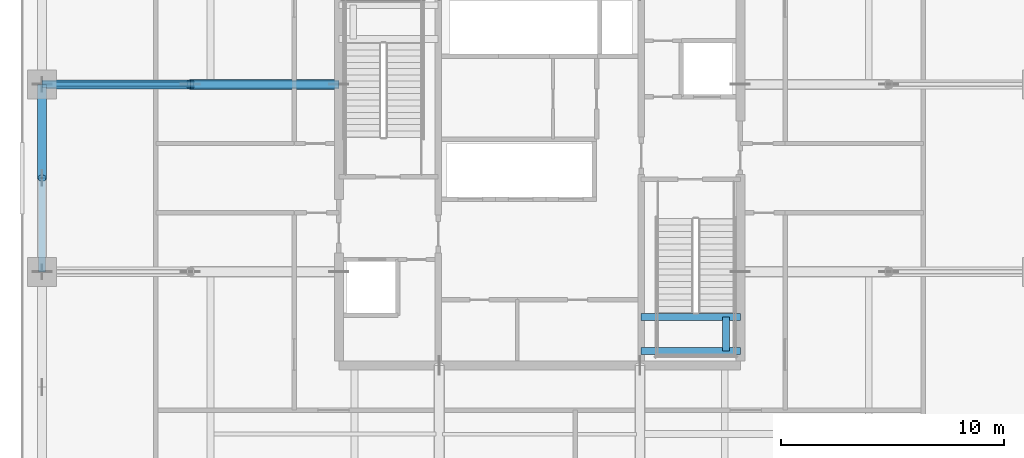
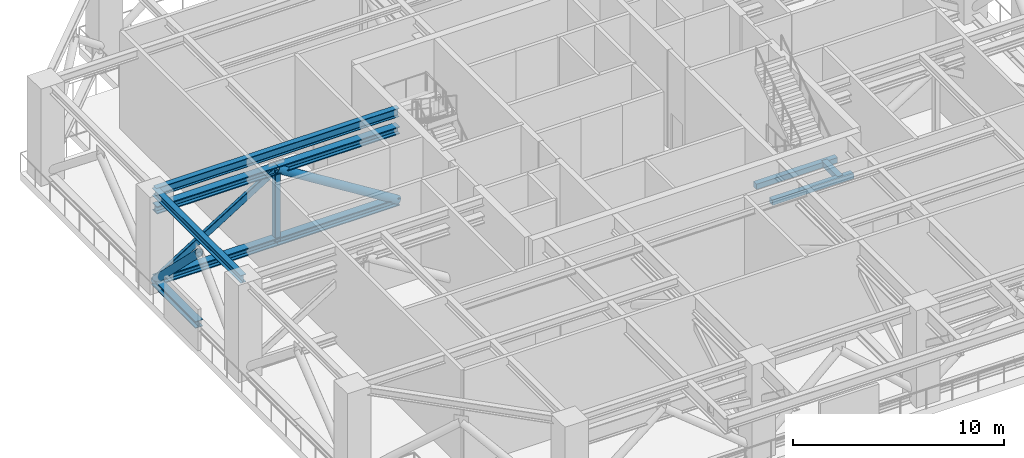
# One storey, part 3 of 22: 9 members, 5 beams.
"""IFC4 building model written with IfcOpenShell, lengths in metres."""

from ifc_helpers import new_model, si_unit, direction, frame, origin, origin_2d, place, context, subcontext, project, spatial, rectangle, hollow_rectangle, hollow_circle, i_section, extrude, source, transform, mapped, material, material_profile, profile_set, type_object, element, save


model = new_model("IFC4")

# Units and contexts
model_context = context("Model", 3, precision=1e-05, world=origin(), true_north=direction((0.0, 1.0)))
body_context = subcontext(model_context, "Body", "Model", "MODEL_VIEW")
ifc_project = project(units=[si_unit("LENGTHUNIT", "METRE"), si_unit("AREAUNIT", "SQUARE_METRE"), si_unit("VOLUMEUNIT", "CUBIC_METRE"), si_unit("PLANEANGLEUNIT", "RADIAN"), si_unit("MASSUNIT", "GRAM", prefix="KILO")], contexts=[model_context])

# Site, building, storey
site_placement = place(None, origin())
site = spatial("IfcSite", under=ifc_project, at=site_placement, CompositionType="ELEMENT")
building_placement = place(site_placement, origin())
building = spatial("IfcBuilding", under=site, at=building_placement, Name="Serunith Strait Residences", CompositionType="ELEMENT")
storey_placement = place(building_placement, frame((0.0, 0.0, 198.89990234375)))
storey = spatial("IfcBuildingStorey", under=building, at=storey_placement, Name="L50", CompositionType="ELEMENT", Elevation=198.89990234375)

# Beams
ifc_material_1 = material(Name="Steel S355J2", Category="steel")
ifc_material_profile_1 = material_profile(ifc_material_1, i_section(OverallWidth=0.300048828125, OverallDepth=0.449951171875, WebThickness=0.013916015625, FlangeThickness=0.02587890625, FilletRadius=0.027099609375, at=origin_2d()), Name="HEB 450")
ifc_profile_set_1 = profile_set([ifc_material_profile_1], Name="Steel S355J2")
beam_type_1 = type_object("IfcBeamType", Name="BM-HEB450", PredefinedType="BEAM", material=ifc_profile_set_1)
shared_shape_1 = source(origin(), body_context, "Body", "SweptSolid", [
    extrude(i_section(OverallWidth=0.300048828125, OverallDepth=0.449951171875, WebThickness=0.013916015625, FlangeThickness=0.02587890625, FilletRadius=0.027099609375, at=origin_2d()), origin(), (0.0, 0.0, 1.0), 8.39990234375),
])
beam_1_placement = place(storey_placement, frame((10.10009765625, 29.39990234375, 5.412109375), z_axis=(0.0, -1.0, 0.0), x_axis=(1.0, 0.0, 0.0)))
element("IfcBeam", 1, at=beam_1_placement, inside=storey, type_object=beam_type_1, Name="L50 Perimeter Ring Beam 14", PredefinedType="BEAM", context=body_context, shape_type="MappedRepresentation", body=[
    mapped(shared_shape_1, transform((0.0, 0.0, 0.0), scale=1.0)),
])
ifc_material_profile_2 = material_profile(ifc_material_1, i_section(OverallWidth=0.300048828125, OverallDepth=0.5, WebThickness=0.014404296875, FlangeThickness=0.028076171875, FilletRadius=0.027099609375, at=origin_2d()), Name="HEB 500")
ifc_profile_set_2 = profile_set([ifc_material_profile_2], Name="Steel S355J2")
beam_type_2 = type_object("IfcBeamType", Name="BM-HEB500", PredefinedType="BEAM", material=ifc_profile_set_2)
shared_shape_2 = source(origin(), body_context, "Body", "SweptSolid", [
    extrude(i_section(OverallWidth=0.300048828125, OverallDepth=0.5, WebThickness=0.014404296875, FlangeThickness=0.028076171875, FilletRadius=0.027099609375, at=origin_2d()), origin(), (0.0, 0.0, 1.0), 13.2998046875),
])
beam_2_placement = place(storey_placement, frame((23.39990234375, 29.39990234375, 5.38720703125), z_axis=(-1.0, 0.0, 0.0), x_axis=(0.0, -1.0, 0.0)))
element("IfcBeam", 2, at=beam_2_placement, inside=storey, type_object=beam_type_2, Name="L50 Primary Floor Girder TC-W3", PredefinedType="BEAM", context=body_context, shape_type="MappedRepresentation", body=[
    mapped(shared_shape_2, transform((0.0, 0.0, 0.0), scale=1.0)),
])

# Members
ifc_material_2 = material(Name="Steel S460M", Category="steel")
ifc_material_profile_3 = material_profile(ifc_material_2, hollow_rectangle(XDim=0.300048828125, YDim=0.300048828125, WallThickness=0.012451171875, InnerFilletRadius=0.018798828125, OuterFilletRadius=0.03125, at=origin_2d()), Name="SHS 300x300x12.5")
ifc_profile_set_3 = profile_set([ifc_material_profile_3], Name="Steel S460M")
member_type_1 = type_object("IfcMemberType", Name="MBR-STRUT-SHS300", PredefinedType="STRUT", material=ifc_profile_set_3)
shared_shape_3 = source(origin(), body_context, "Body", "SweptSolid", [
    extrude(hollow_rectangle(XDim=0.300048828125, YDim=0.300048828125, WallThickness=0.012451171875, InnerFilletRadius=0.018798828125, OuterFilletRadius=0.03125, at=origin_2d()), origin(), (0.0, 0.0, 1.0), 4.14013671875),
])
member_1_placement = place(storey_placement, frame((16.75, 29.39990234375, 0.25), z_axis=(0.0, 0.0, 1.0), x_axis=(1.0, 0.0, 0.0)))
element("IfcMember", 3, at=member_1_placement, inside=storey, type_object=member_type_1, Name="L50 Outrigger Arm 8 Mid Post", PredefinedType="STRUT", context=body_context, shape_type="MappedRepresentation", body=[
    mapped(shared_shape_3, transform((0.0, 0.0, 0.0), scale=1.0)),
])
ifc_material_profile_4 = material_profile(ifc_material_2, i_section(OverallWidth=0.412109375, OverallDepth=0.43505859375, WebThickness=0.035888671875, FlangeThickness=0.057373046875, FilletRadius=0.014892578125, at=origin_2d()), Name="HD 400x463")
ifc_profile_set_4 = profile_set([ifc_material_profile_4], Name="Steel S460M")
member_type_2 = type_object("IfcMemberType", Name="MBR-CHORD-HD463", PredefinedType="CHORD", material=ifc_profile_set_4)
shared_shape_4 = source(origin(), body_context, "Body", "SweptSolid", [
    extrude(i_section(OverallWidth=0.412109375, OverallDepth=0.43505859375, WebThickness=0.035888671875, FlangeThickness=0.057373046875, FilletRadius=0.014892578125, at=origin_2d()), origin(), (0.0, 0.0, 1.0), 6.64990234375),
])
for number, where, z_axis, x_axis, name in (
    (4, (23.39990234375, 29.39990234375, 0.25), (-1.0, 0.0, 0.0), (0.0, -1.0, 0.0), "L50 Outrigger Arm 8 Bottom Chord 1"),
    (5, (23.39990234375, 29.39990234375, 4.39013671875), (-1.0, 0.0, 0.0), (0.0, -1.0, 0.0), "L50 Outrigger Arm 8 Top Chord 1"),
    (6, (16.75, 29.39990234375, 0.25), (-1.0, 0.0, 0.0), (0.0, -1.0, 0.0), "L50 Outrigger Arm 8 Bottom Chord 2"),
    (7, (16.75, 29.39990234375, 4.39013671875), (-1.0, 0.0, 0.0), (0.0, -1.0, 0.0), "L50 Outrigger Arm 8 Top Chord 2"),
):
    element("IfcMember", number, at=place(storey_placement, frame(where, z_axis=z_axis, x_axis=x_axis)), inside=storey, type_object=member_type_2, Name=name, PredefinedType="CHORD", context=body_context, shape_type="MappedRepresentation", body=[
        mapped(shared_shape_4, transform((0.0, 0.0, 0.0), scale=1.0)),
    ])
ifc_material_profile_5 = material_profile(ifc_material_2, hollow_circle(Radius=0.228515625, WallThickness=0.01611328125, at=origin_2d()), Name="CHS 457x16")
ifc_profile_set_5 = profile_set([ifc_material_profile_5], Name="Steel S460M")
member_type_3 = type_object("IfcMemberType", Name="MBR-DIAG-CHS457", PredefinedType="BRACE", material=ifc_profile_set_5)
shared_shape_5 = source(origin(), body_context, "Body", "SweptSolid", [
    extrude(hollow_circle(Radius=0.228515625, WallThickness=0.01611328125, at=origin_2d()), origin(), (0.0, 0.0, 1.0), 7.83349609375),
])
member_2_placement = place(storey_placement, frame((23.39990234375, 29.39990234375, 0.25), z_axis=(-0.848918016547, 0.0, 0.528524551164), x_axis=(0.0, -1.0, 0.0)))
element("IfcMember", 8, at=member_2_placement, inside=storey, type_object=member_type_3, Name="L50 Outrigger Arm 8 Inner Diagonal", PredefinedType="BRACE", context=body_context, shape_type="MappedRepresentation", body=[
    mapped(shared_shape_5, transform((0.0, 0.0, 0.0), scale=1.0)),
])
ifc_material_profile_6 = material_profile(ifc_material_2, hollow_rectangle(XDim=0.199951171875, YDim=0.39990234375, WallThickness=0.01611328125, InnerFilletRadius=0.02392578125, OuterFilletRadius=0.0400390625, at=origin_2d()), Name="RHS 400x200x16")
ifc_profile_set_6 = profile_set([ifc_material_profile_6], Name="Steel S460M")
member_type_4 = type_object("IfcMemberType", Name="MBR-BRACE-RHS400", PredefinedType="BRACE", material=ifc_profile_set_6)
shared_shape_6 = source(origin(), body_context, "Body", "SweptSolid", [
    extrude(hollow_rectangle(XDim=0.199951171875, YDim=0.39990234375, WallThickness=0.01611328125, InnerFilletRadius=0.02392578125, OuterFilletRadius=0.0400390625, at=origin_2d()), origin(), (0.0, 0.0, 1.0), 7.83349609375),
])
member_3_placement = place(storey_placement, frame((16.75, 29.39990234375, 4.39013671875), z_axis=(-0.848918016547, 0.0, -0.528524551164), x_axis=(0.0, -1.0, 0.0)))
element("IfcMember", 9, at=member_3_placement, inside=storey, type_object=member_type_4, Name="L50 Outrigger Arm 8 Outer Diagonal", PredefinedType="BRACE", context=body_context, shape_type="MappedRepresentation", body=[
    mapped(shared_shape_6, transform((0.0, 0.0, 0.0), scale=1.0)),
])
ifc_material_profile_7 = material_profile(ifc_material_2, i_section(OverallWidth=0.40087890625, OverallDepth=0.39892578125, WebThickness=0.02490234375, FlangeThickness=0.03955078125, FilletRadius=0.014892578125, at=origin_2d()), Name="HD 400x314")
ifc_profile_set_7 = profile_set([ifc_material_profile_7], Name="Steel S460M")
member_type_5 = type_object("IfcMemberType", Name="MBR-CHORD-HD314", PredefinedType="CHORD", material=ifc_profile_set_7)
shared_shape_7 = source(origin(), body_context, "Body", "SweptSolid", [
    extrude(i_section(OverallWidth=0.40087890625, OverallDepth=0.39892578125, WebThickness=0.02490234375, FlangeThickness=0.03955078125, FilletRadius=0.014892578125, at=origin_2d()), origin(), (0.0, 0.0, 1.0), 4.199951171875),
])
member_4_placement = place(storey_placement, frame((10.10009765625, 29.39990234375, 0.25), z_axis=(0.0, -1.0, 0.0), x_axis=(1.0, 0.0, 0.0)))
element("IfcMember", 10, at=member_4_placement, inside=storey, type_object=member_type_5, Name="L50 Belt Truss Bay 14 Chord A", PredefinedType="CHORD", context=body_context, shape_type="MappedRepresentation", body=[
    mapped(shared_shape_7, transform((0.0, 0.0, 0.0), scale=1.0)),
])
ifc_material_profile_8 = material_profile(ifc_material_2, hollow_circle(Radius=0.203125, WallThickness=0.01611328125, at=origin_2d()), Name="CHS 406.4x16")
ifc_profile_set_8 = profile_set([ifc_material_profile_8], Name="Steel S460M")
member_type_6 = type_object("IfcMemberType", Name="MBR-DIAG-CHS406", PredefinedType="BRACE", material=ifc_profile_set_8)
shared_shape_8 = source(origin(), body_context, "Body", "SweptSolid", [
    extrude(hollow_circle(Radius=0.203125, WallThickness=0.01611328125, at=origin_2d()), origin(), (0.0, 0.0, 1.0), 5.8974609375),
])
member_5_placement = place(storey_placement, frame((10.10009765625, 29.39990234375, 0.25), z_axis=(0.0, -0.712159780048, 0.702017412663), x_axis=(1.0, 0.0, 0.0)))
element("IfcMember", 11, at=member_5_placement, inside=storey, type_object=member_type_6, Name="L50 Belt Truss Bay 14 Diagonal 1", PredefinedType="BRACE", context=body_context, shape_type="MappedRepresentation", body=[
    mapped(shared_shape_8, transform((0.0, 0.0, 0.0), scale=1.0)),
])

# Beams
ifc_material_3 = material(Name="Concrete C60/75", Category="concrete")
ifc_material_profile_9 = material_profile(ifc_material_3, rectangle(XDim=0.300048828125, YDim=0.300048828125, at=origin_2d()), Name="RC 300x300")
ifc_profile_set_9 = profile_set([ifc_material_profile_9], Name="Concrete C60/75")
beam_type_3 = type_object("IfcBeamType", Name="BM-LAND-300x300", PredefinedType="BEAM", material=ifc_profile_set_9)
shared_shape_9 = source(origin(), body_context, "Body", "SweptSolid", [
    extrude(rectangle(XDim=0.300048828125, YDim=0.300048828125, at=origin_2d()), origin(), (0.0, 0.0, 1.0), 1.52001953125),
])
beam_3_placement = place(storey_placement, frame((40.75, 17.449951171875, 2.650146484375), z_axis=(0.0, 1.0, 0.0), x_axis=(-1.0, 0.0, 0.0)))
element("IfcBeam", 12, at=beam_3_placement, inside=storey, type_object=beam_type_3, Name="L50 ST-2 Landing Transverse Tie Beam", PredefinedType="BEAM", context=body_context, shape_type="MappedRepresentation", body=[
    mapped(shared_shape_9, transform((0.0, 0.0, 0.0), scale=1.0)),
])
shared_shape_10 = source(origin(), body_context, "Body", "SweptSolid", [
    extrude(rectangle(XDim=0.300048828125, YDim=0.300048828125, at=origin_2d()), origin(), (0.0, 0.0, 1.0), 4.449951171875),
])
for number, where, z_axis, x_axis, name in (
    (13, (36.949951171875, 17.449951171875, 2.650146484375), (1.0, 0.0, 0.0), (0.0, 1.0, 0.0), "L50 ST-2 Landing Support Beam 1"),
    (14, (36.949951171875, 18.969970703125, 2.650146484375), (1.0, 0.0, 0.0), (0.0, 1.0, 0.0), "L50 ST-2 Landing Support Beam 2"),
):
    element("IfcBeam", number, at=place(storey_placement, frame(where, z_axis=z_axis, x_axis=x_axis)), inside=storey, type_object=beam_type_3, Name=name, PredefinedType="BEAM", context=body_context, shape_type="MappedRepresentation", body=[
        mapped(shared_shape_10, transform((0.0, 0.0, 0.0), scale=1.0)),
    ])

save(model, "model.ifc")
